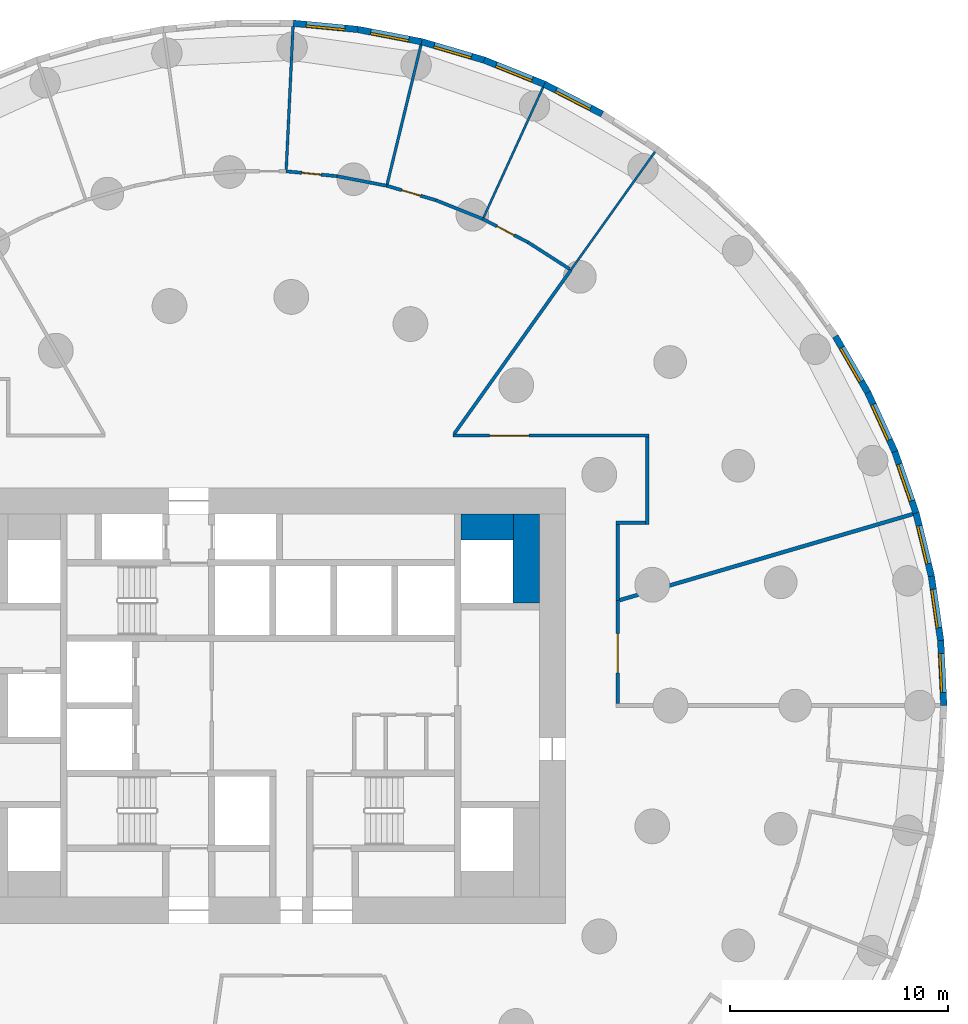
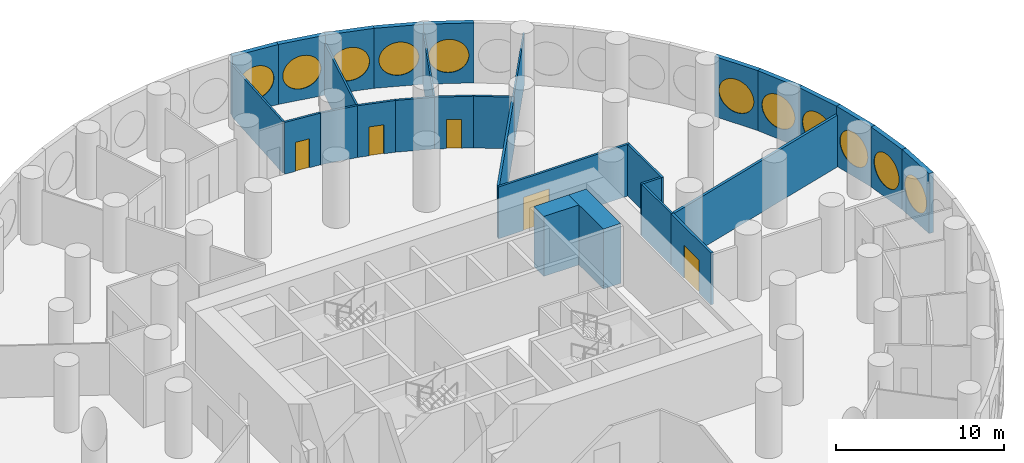
# One storey, part 8 of 11: 30 walls, 11 windows, 5 doors, 16 openings.
"""IFC4 building model written with IfcOpenShell, lengths in metres."""

from ifc_helpers import new_model, si_unit, direction, frame, frame_2d, origin, origin_2d, place, context, subcontext, project, spatial, rectangle, circle, extrude, material, layer, layer_set, type_object, element, fill, save


model = new_model("IFC4")

# Units and contexts
model_context = context("Model", 3, precision=1e-05, world=origin(), true_north=direction((0.0, 1.0)))
body_context = subcontext(model_context, "Body", "Model", "MODEL_VIEW")
ifc_project = project(units=[si_unit("LENGTHUNIT", "METRE"), si_unit("AREAUNIT", "SQUARE_METRE"), si_unit("VOLUMEUNIT", "CUBIC_METRE"), si_unit("PLANEANGLEUNIT", "RADIAN"), si_unit("MASSUNIT", "GRAM", prefix="KILO")], contexts=[model_context])

# Site, building, storey
site_placement = place(None, origin())
site = spatial("IfcSite", under=ifc_project, at=site_placement, CompositionType="ELEMENT")
building_placement = place(site_placement, origin())
building = spatial("IfcBuilding", under=site, at=building_placement, Name="Tracery Tower", CompositionType="ELEMENT")
storey_placement = place(building_placement, frame((0.0, 0.0, 18.60009765625)))
storey = spatial("IfcBuildingStorey", under=building, at=storey_placement, Name="L03", CompositionType="ELEMENT", Elevation=18.60009765625)

# Wall, opening, door
ifc_material_1 = material(Name="Plasterboard on steel studs", Category="steel")
ifc_layer_1 = layer(ifc_material_1, 0.175048828125)
ifc_layer_set_1 = layer_set([ifc_layer_1], Name="Compartment partition 175")
wall_type_1 = type_object("IfcWallType", Name="Compartment partition 175", PredefinedType="PARTITIONING", material=ifc_layer_set_1)
wall_1_placement = place(storey_placement, frame((16.39990234375, 4.8154296875, 0.0), z_axis=(0.0, 0.0, 1.0), x_axis=(0.0, -1.0, 0.0)))
wall_1 = element("IfcWall", 1, at=wall_1_placement, inside=storey, type_object=wall_type_1, Name="Compartment partition 175", PredefinedType="PARTITIONING", context=body_context, shape_type="SweptSolid", body=[
    extrude(rectangle(XDim=4.72802734375, YDim=0.175048828125, at=frame_2d((2.364013671875, 0.0))), origin(), (0.0, 0.0, 1.0), 3.75),
])
opening_1_placement = place(wall_1_placement, frame((1.5078125, 0.0, 0.0)))
opening_1 = element("IfcOpeningElement", 2, at=opening_1_placement, cuts=wall_1, Name="Opening SB-L03-01", PredefinedType="OPENING", context=body_context, shape_type="SweptSolid", body=[
    extrude(rectangle(XDim=1.800048828125, YDim=2.39990234375, at=frame_2d((0.89990234375, 1.199951171875))), frame((0.0, 0.08740234375, 0.0), z_axis=(0.0, -1.0, 0.0), x_axis=(1.0, 0.0, 0.0)), (0.0, 0.0, 1.0), 0.175048828125),
])
ifc_material_2 = material(Name="Glazed aluminium door", Category="aluminium")
door_type_1 = type_object("IfcDoorType", Name="Hall double door 1800", OperationType="DOUBLE_DOOR_SINGLE_SWING", PredefinedType="DOOR", material=ifc_material_2)
door_1_placement = place(opening_1_placement, origin())
door_1 = element("IfcDoor", 3, at=door_1_placement, inside=storey, type_object=door_type_1, Name="Hall double door 1800", OperationType="DOUBLE_DOOR_SINGLE_SWING", OverallHeight=2.39990234375, OverallWidth=1.800048828125, PredefinedType="DOOR", context=body_context, shape_type="SweptSolid", body=[
    extrude(rectangle(XDim=1.800048828125, YDim=2.39990234375, at=frame_2d((0.89990234375, 1.199951171875))), frame((0.0, 0.02490234375, 0.0), z_axis=(0.0, -1.0, 0.0), x_axis=(1.0, 0.0, 0.0)), (0.0, 0.0, 1.0), 0.050048828125),
])
fill(opening_1, door_1)

# Walls
wall_2_placement = place(storey_placement, frame((29.95947265625, 8.796875, 0.0), z_axis=(0.0, 0.0, 1.0), x_axis=(-0.959495810273, -0.281722895889, 0.0)))
element("IfcWall", 4, at=wall_2_placement, inside=storey, type_object=wall_type_1, Name="Compartment partition 175", PredefinedType="PARTITIONING", context=body_context, shape_type="SweptSolid", body=[
    extrude(rectangle(XDim=14.04052734375, YDim=0.175048828125, at=frame_2d((7.020263671875, 0.0))), origin(), (0.0, 0.0, 1.0), 3.75),
])
ifc_material_3 = material(Name="Concrete C60/75", Category="concrete")
ifc_layer_2 = layer(ifc_material_3, 1.199951171875)
ifc_layer_set_2 = layer_set([ifc_layer_2], Name="Core strip wall 1200 C60")
wall_type_2 = type_object("IfcWallType", Name="Core strip wall 1200 C60", PredefinedType="SOLIDWALL", material=ifc_layer_set_2)
wall_3_placement = place(storey_placement, frame((12.199951171875, 4.699951171875, 0.0), z_axis=(0.0, 0.0, 1.0), x_axis=(0.0, 1.0, 0.0)))
element("IfcWall", 5, at=wall_3_placement, inside=storey, type_object=wall_type_2, Name="L03 wing strip +1 4.55", PredefinedType="SOLIDWALL", context=body_context, shape_type="SweptSolid", body=[
    extrude(rectangle(XDim=4.10009765625, YDim=1.199951171875, at=frame_2d((2.050048828125, 0.0))), origin(), (0.0, 0.0, 1.0), 4.349853515625),
])
wall_4_placement = place(storey_placement, frame((9.199951171875, 8.199951171875, 0.0), z_axis=(0.0, 0.0, 1.0), x_axis=(1.0, 0.0, 0.0)))
element("IfcWall", 6, at=wall_4_placement, inside=storey, type_object=wall_type_2, Name="L03 wing corner +1 +8.2", PredefinedType="SOLIDWALL", context=body_context, shape_type="SweptSolid", body=[
    extrude(rectangle(XDim=2.400146484375, YDim=1.199951171875, at=frame_2d((1.2001953125, 0.0))), origin(), (0.0, 0.0, 1.0), 4.349853515625),
])

# Wall, opening, door
ifc_material_4 = material(Name="Plasterboard on steel studs", Category="steel")
ifc_layer_3 = layer(ifc_material_4, 0.14990234375)
ifc_layer_set_3 = layer_set([ifc_layer_3], Name="Corridor partition 150")
wall_type_3 = type_object("IfcWallType", Name="Corridor partition 150", PredefinedType="PARTITIONING", material=ifc_layer_set_3)
wall_5_placement = place(storey_placement, frame((1.1689453125, 24.538818359375, 0.0), z_axis=(0.0, 0.0, 1.0), x_axis=(0.995473855736, -0.095035796131, 0.0)))
wall_5 = element("IfcWall", 7, at=wall_5_placement, inside=storey, type_object=wall_type_3, Name="Corridor partition 150", PredefinedType="PARTITIONING", context=body_context, shape_type="SweptSolid", body=[
    extrude(rectangle(XDim=2.337646484375, YDim=0.14990234375, at=frame_2d((1.1689453125, 0.0))), origin(), (0.0, 0.0, 1.0), 3.75),
])
opening_2_placement = place(wall_5_placement, frame((0.718994140625, 0.0, 0.0)))
opening_2 = element("IfcOpeningElement", 8, at=opening_2_placement, cuts=wall_5, Name="Opening SB-L03-05", PredefinedType="OPENING", context=body_context, shape_type="SweptSolid", body=[
    extrude(rectangle(XDim=0.89990234375, YDim=2.10009765625, at=frame_2d((0.449951171875, 1.050048828125))), frame((0.0, 0.074951171875, 0.0), z_axis=(0.0, -1.0, 0.0), x_axis=(1.0, 0.0, 0.0)), (0.0, 0.0, 1.0), 0.14990234375),
])
ifc_material_5 = material(Name="Timber door leaf", Category="wood")
door_type_2 = type_object("IfcDoorType", Name="Room door 900", OperationType="NOTDEFINED", PredefinedType="DOOR", material=ifc_material_5)
door_2_placement = place(opening_2_placement, origin())
door_2 = element("IfcDoor", 9, at=door_2_placement, inside=storey, type_object=door_type_2, Name="Room door 900", OperationType="SINGLE_SWING_RIGHT", OverallHeight=2.10009765625, OverallWidth=0.89990234375, PredefinedType="DOOR", context=body_context, shape_type="SweptSolid", body=[
    extrude(rectangle(XDim=0.89990234375, YDim=2.10009765625, at=frame_2d((0.449951171875, 1.050048828125))), frame((0.0, 0.02490234375, 0.0), z_axis=(0.0, -1.0, 0.0), x_axis=(1.0, 0.0, 0.0)), (0.0, 0.0, 1.0), 0.050048828125),
])
fill(opening_2, door_2)

# Wall
wall_6_placement = place(storey_placement, frame((5.791748046875, 23.874267578125, 0.0), z_axis=(0.0, 0.0, 1.0), x_axis=(-0.981934124814, 0.189223081374, 0.0)))
element("IfcWall", 10, at=wall_6_placement, inside=storey, type_object=wall_type_3, Name="Corridor partition 150", PredefinedType="PARTITIONING", context=body_context, shape_type="SweptSolid", body=[
    extrude(rectangle(XDim=2.337890625, YDim=0.14990234375, at=frame_2d((1.1689453125, 0.0))), origin(), (0.0, 0.0, 1.0), 3.75),
])

# Wall, opening, door
wall_7_placement = place(storey_placement, frame((5.791748046875, 23.874267578125, 0.0), z_axis=(0.0, 0.0, 1.0), x_axis=(0.959488462959, -0.28174791827, 0.0)))
wall_7 = element("IfcWall", 11, at=wall_7_placement, inside=storey, type_object=wall_type_3, Name="Corridor partition 150", PredefinedType="PARTITIONING", context=body_context, shape_type="SweptSolid", body=[
    extrude(rectangle(XDim=2.337890625, YDim=0.14990234375, at=frame_2d((1.1689453125, 0.0))), origin(), (0.0, 0.0, 1.0), 3.75),
])
opening_3_placement = place(wall_7_placement, frame((0.718994140625, 0.0, 0.0)))
opening_3 = element("IfcOpeningElement", 12, at=opening_3_placement, cuts=wall_7, Name="Opening SB-L03-04", PredefinedType="OPENING", context=body_context, shape_type="SweptSolid", body=[
    extrude(rectangle(XDim=0.89990234375, YDim=2.10009765625, at=frame_2d((0.449951171875, 1.050048828125))), frame((0.0, 0.074951171875, 0.0), z_axis=(0.0, -1.0, 0.0), x_axis=(1.0, 0.0, 0.0)), (0.0, 0.0, 1.0), 0.14990234375),
])
door_3_placement = place(opening_3_placement, origin())
door_3 = element("IfcDoor", 13, at=door_3_placement, inside=storey, type_object=door_type_2, Name="Room door 900", OperationType="SINGLE_SWING_RIGHT", OverallHeight=2.10009765625, OverallWidth=0.89990234375, PredefinedType="DOOR", context=body_context, shape_type="SweptSolid", body=[
    extrude(rectangle(XDim=0.89990234375, YDim=2.10009765625, at=frame_2d((0.449951171875, 1.050048828125))), frame((0.0, 0.02490234375, 0.0), z_axis=(0.0, -1.0, 0.0), x_axis=(1.0, 0.0, 0.0)), (0.0, 0.0, 1.0), 0.050048828125),
])
fill(opening_3, door_3)

# Wall
wall_8_placement = place(storey_placement, frame((10.205322265625, 22.3466796875, 0.0), z_axis=(0.0, 0.0, 1.0), x_axis=(-0.92836862221, 0.371660734133, 0.0)))
element("IfcWall", 14, at=wall_8_placement, inside=storey, type_object=wall_type_3, Name="Corridor partition 150", PredefinedType="PARTITIONING", context=body_context, shape_type="SweptSolid", body=[
    extrude(rectangle(XDim=2.337890625, YDim=0.14990234375, at=frame_2d((1.1689453125, 0.0))), origin(), (0.0, 0.0, 1.0), 3.75),
])

# Wall, opening, door
wall_9_placement = place(storey_placement, frame((10.205322265625, 22.3466796875, 0.0), z_axis=(0.0, 0.0, 1.0), x_axis=(0.888845697941, -0.458206640339, 0.0)))
wall_9 = element("IfcWall", 15, at=wall_9_placement, inside=storey, type_object=wall_type_3, Name="Corridor partition 150", PredefinedType="PARTITIONING", context=body_context, shape_type="SweptSolid", body=[
    extrude(rectangle(XDim=2.337890625, YDim=0.14990234375, at=frame_2d((1.1689453125, 0.0))), origin(), (0.0, 0.0, 1.0), 3.75),
])
opening_4_placement = place(wall_9_placement, frame((0.718994140625, 0.0, 0.0)))
opening_4 = element("IfcOpeningElement", 16, at=opening_4_placement, cuts=wall_9, Name="Opening SB-L03-03", PredefinedType="OPENING", context=body_context, shape_type="SweptSolid", body=[
    extrude(rectangle(XDim=0.89990234375, YDim=2.10009765625, at=frame_2d((0.449951171875, 1.050048828125))), frame((0.0, 0.074951171875, 0.0), z_axis=(0.0, -1.0, 0.0), x_axis=(1.0, 0.0, 0.0)), (0.0, 0.0, 1.0), 0.14990234375),
])
door_4_placement = place(opening_4_placement, origin())
door_4 = element("IfcDoor", 17, at=door_4_placement, inside=storey, type_object=door_type_2, Name="Room door 900", OperationType="SINGLE_SWING_RIGHT", OverallHeight=2.10009765625, OverallWidth=0.89990234375, PredefinedType="DOOR", context=body_context, shape_type="SweptSolid", body=[
    extrude(rectangle(XDim=0.89990234375, YDim=2.10009765625, at=frame_2d((0.449951171875, 1.050048828125))), frame((0.0, 0.02490234375, 0.0), z_axis=(0.0, -1.0, 0.0), x_axis=(1.0, 0.0, 0.0)), (0.0, 0.0, 1.0), 0.050048828125),
])
fill(opening_4, door_4)

# Walls
wall_10_placement = place(storey_placement, frame((14.25, 20.011474609375, 0.0), z_axis=(0.0, 0.0, 1.0), x_axis=(-0.580061892899, -0.814572403416, 0.0)))
element("IfcWall", 18, at=wall_10_placement, inside=storey, type_object=wall_type_3, Name="Corridor partition 150", PredefinedType="PARTITIONING", context=body_context, shape_type="SweptSolid", body=[
    extrude(rectangle(XDim=9.251953125, YDim=0.14990234375, at=frame_2d((4.6259765625, 0.0))), origin(), (0.0, 0.0, 1.0), 3.75),
])
wall_11_placement = place(storey_placement, frame((14.18701171875, 20.052001953125, 0.0), z_axis=(0.0, 0.0, 1.0), x_axis=(-0.841245074687, 0.540653978358, 0.0)))
element("IfcWall", 19, at=wall_11_placement, inside=storey, type_object=wall_type_3, Name="Corridor partition 150", PredefinedType="PARTITIONING", context=body_context, shape_type="SweptSolid", body=[
    extrude(rectangle(XDim=2.2626953125, YDim=0.14990234375, at=frame_2d((1.13134765625, 0.0))), origin(), (0.0, 0.0, 1.0), 3.75),
])
wall_12_placement = place(storey_placement, frame((16.39990234375, 4.8154296875, 0.0), z_axis=(0.0, 0.0, 1.0), x_axis=(0.0, 1.0, 0.0)))
element("IfcWall", 20, at=wall_12_placement, inside=storey, type_object=wall_type_3, Name="Corridor partition 150", PredefinedType="PARTITIONING", context=body_context, shape_type="SweptSolid", body=[
    extrude(rectangle(XDim=3.512451171875, YDim=0.14990234375, at=frame_2d((1.75634765625, 0.0))), origin(), (0.0, 0.0, 1.0), 3.75),
])
wall_13_placement = place(storey_placement, frame((16.324951171875, 8.40283203125, 0.0), z_axis=(0.0, 0.0, 1.0), x_axis=(1.0, 0.0, 0.0)))
element("IfcWall", 21, at=wall_13_placement, inside=storey, type_object=wall_type_3, Name="Corridor partition 150", PredefinedType="PARTITIONING", context=body_context, shape_type="SweptSolid", body=[
    extrude(rectangle(XDim=1.3515625, YDim=0.14990234375, at=frame_2d((0.67578125, 0.0))), origin(), (0.0, 0.0, 1.0), 3.75),
])
wall_14_placement = place(storey_placement, frame((17.751708984375, 8.327880859375, 0.0), z_axis=(0.0, 0.0, 1.0), x_axis=(0.0, 1.0, 0.0)))
element("IfcWall", 22, at=wall_14_placement, inside=storey, type_object=wall_type_3, Name="Corridor partition 150", PredefinedType="PARTITIONING", context=body_context, shape_type="SweptSolid", body=[
    extrude(rectangle(XDim=3.9970703125, YDim=0.14990234375, at=frame_2d((1.99853515625, 0.0))), origin(), (0.0, 0.0, 1.0), 3.75),
])

# Wall, opening, door
wall_15_placement = place(storey_placement, frame((8.830078125, 12.39990234375, 0.0), z_axis=(0.0, 0.0, 1.0), x_axis=(1.0, 0.0, 0.0)))
wall_15 = element("IfcWall", 23, at=wall_15_placement, inside=storey, type_object=wall_type_3, Name="Corridor partition 150", PredefinedType="PARTITIONING", context=body_context, shape_type="SweptSolid", body=[
    extrude(rectangle(XDim=8.99658203125, YDim=0.14990234375, at=frame_2d((4.498291015625, 0.0))), origin(), (0.0, 0.0, 1.0), 3.75),
])
opening_5_placement = place(wall_15_placement, frame((1.68505859375, 0.0, 0.0)))
opening_5 = element("IfcOpeningElement", 24, at=opening_5_placement, cuts=wall_15, Name="Opening SB-L03-02", PredefinedType="OPENING", context=body_context, shape_type="SweptSolid", body=[
    extrude(rectangle(XDim=1.800048828125, YDim=2.39990234375, at=frame_2d((0.89990234375, 1.199951171875))), frame((0.0, 0.074951171875, 0.0), z_axis=(0.0, -1.0, 0.0), x_axis=(1.0, 0.0, 0.0)), (0.0, 0.0, 1.0), 0.14990234375),
])
door_5_placement = place(opening_5_placement, origin())
door_5 = element("IfcDoor", 25, at=door_5_placement, inside=storey, type_object=door_type_1, Name="Hall double door 1800", OperationType="DOUBLE_DOOR_SINGLE_SWING", OverallHeight=2.39990234375, OverallWidth=1.800048828125, PredefinedType="DOOR", context=body_context, shape_type="SweptSolid", body=[
    extrude(rectangle(XDim=1.800048828125, YDim=2.39990234375, at=frame_2d((0.89990234375, 1.199951171875))), frame((0.0, 0.02490234375, 0.0), z_axis=(0.0, -1.0, 0.0), x_axis=(1.0, 0.0, 0.0)), (0.0, 0.0, 1.0), 0.050048828125),
])
fill(opening_5, door_5)

# Wall, opening, window
ifc_material_6 = material(Name="Precast concrete C50/60", Category="concrete")
ifc_layer_4 = layer(ifc_material_6, 0.300048828125)
ifc_layer_set_4 = layer_set([ifc_layer_4], Name="Facade panel 3000 x 4350")
wall_type_4 = type_object("IfcWallType", Name="Facade panel 3000 x 4350", PredefinedType="SOLIDWALL", material=ifc_layer_set_4)
wall_16_placement = place(storey_placement, frame((31.37451171875, 0.0, 0.0), z_axis=(0.0, 0.0, 1.0), x_axis=(-0.047588458579, 0.998867027492, 0.0)))
wall_16 = element("IfcWall", 26, at=wall_16_placement, inside=storey, type_object=wall_type_4, Name="Facade panel 1 at L03", PredefinedType="SOLIDWALL", context=body_context, shape_type="SweptSolid", body=[
    extrude(rectangle(XDim=2.98583984375, YDim=0.300048828125, at=frame_2d((1.492919921875, 0.0))), origin(), (0.0, 0.0, 1.0), 4.349853515625),
])
opening_6_placement = place(wall_16_placement, frame((1.492919921875, 0.0, 2.0)))
opening_6 = element("IfcOpeningElement", 27, at=opening_6_placement, cuts=wall_16, Name="Opening WN2", PredefinedType="OPENING", context=body_context, shape_type="SweptSolid", body=[
    extrude(circle(Radius=1.199951171875, at=origin_2d()), frame((0.0, 0.159912109375, 0.0), z_axis=(0.0, -1.0, 0.0), x_axis=(1.0, 0.0, 0.0)), (0.0, 0.0, 1.0), 0.320068359375),
])
ifc_material_7 = material(Name="Aluminium frame with tinted double glazing", Category="aluminium")
window_type = type_object("IfcWindowType", Name="Round window 2400", PartitioningType="SINGLE_PANEL", PredefinedType="WINDOW", material=ifc_material_7)
window_1_placement = place(opening_6_placement, origin())
window_1 = element("IfcWindow", 28, at=window_1_placement, inside=storey, type_object=window_type, Name="Round window 1 at L03", OverallHeight=2.39990234375, OverallWidth=2.39990234375, PartitioningType="SINGLE_PANEL", PredefinedType="WINDOW", context=body_context, shape_type="SweptSolid", body=[
    extrude(circle(Radius=1.199951171875, at=origin_2d()), frame((0.0, 0.1201171875, 0.0), z_axis=(0.0, -1.0, 0.0), x_axis=(1.0, 0.0, 0.0)), (0.0, 0.0, 1.0), 0.10009765625),
])
fill(opening_6, window_1)

wall_17_placement = place(storey_placement, frame((31.232421875, 2.982421875, 0.0), z_axis=(0.0, 0.0, 1.0), x_axis=(-0.142360001917, 0.989814947278, 0.0)))
wall_17 = element("IfcWall", 29, at=wall_17_placement, inside=storey, type_object=wall_type_4, Name="Facade panel 2 at L03", PredefinedType="SOLIDWALL", context=body_context, shape_type="SweptSolid", body=[
    extrude(rectangle(XDim=2.98583984375, YDim=0.300048828125, at=frame_2d((1.492919921875, 0.0))), origin(), (0.0, 0.0, 1.0), 4.349853515625),
])
opening_7_placement = place(wall_17_placement, frame((1.492919921875, 0.0, 2.0)))
opening_7 = element("IfcOpeningElement", 30, at=opening_7_placement, cuts=wall_17, Name="Opening WN2", PredefinedType="OPENING", context=body_context, shape_type="SweptSolid", body=[
    extrude(circle(Radius=1.199951171875, at=origin_2d()), frame((0.0, 0.159912109375, 0.0), z_axis=(0.0, -1.0, 0.0), x_axis=(1.0, 0.0, 0.0)), (0.0, 0.0, 1.0), 0.320068359375),
])
window_2_placement = place(opening_7_placement, origin())
window_2 = element("IfcWindow", 31, at=window_2_placement, inside=storey, type_object=window_type, Name="Round window 2 at L03", OverallHeight=2.39990234375, OverallWidth=2.39990234375, PartitioningType="SINGLE_PANEL", PredefinedType="WINDOW", context=body_context, shape_type="SweptSolid", body=[
    extrude(circle(Radius=1.199951171875, at=origin_2d()), frame((0.0, 0.1201171875, 0.0), z_axis=(0.0, -1.0, 0.0), x_axis=(1.0, 0.0, 0.0)), (0.0, 0.0, 1.0), 0.10009765625),
])
fill(opening_7, window_2)

wall_18_placement = place(storey_placement, frame((30.807373046875, 5.937744140625, 0.0), z_axis=(0.0, 0.0, 1.0), x_axis=(-0.235756834479, 0.971812078026, 0.0)))
wall_18 = element("IfcWall", 32, at=wall_18_placement, inside=storey, type_object=wall_type_4, Name="Facade panel 3 at L03", PredefinedType="SOLIDWALL", context=body_context, shape_type="SweptSolid", body=[
    extrude(rectangle(XDim=2.985595703125, YDim=0.300048828125, at=frame_2d((1.49267578125, 0.0))), origin(), (0.0, 0.0, 1.0), 4.349853515625),
])
opening_8_placement = place(wall_18_placement, frame((1.492919921875, 0.0, 2.0)))
opening_8 = element("IfcOpeningElement", 33, at=opening_8_placement, cuts=wall_18, Name="Opening WN2", PredefinedType="OPENING", context=body_context, shape_type="SweptSolid", body=[
    extrude(circle(Radius=1.199951171875, at=origin_2d()), frame((0.0, 0.159912109375, 0.0), z_axis=(0.0, -1.0, 0.0), x_axis=(1.0, 0.0, 0.0)), (0.0, 0.0, 1.0), 0.320068359375),
])
window_3_placement = place(opening_8_placement, origin())
window_3 = element("IfcWindow", 34, at=window_3_placement, inside=storey, type_object=window_type, Name="Round window 3 at L03", OverallHeight=2.39990234375, OverallWidth=2.39990234375, PartitioningType="SINGLE_PANEL", PredefinedType="WINDOW", context=body_context, shape_type="SweptSolid", body=[
    extrude(circle(Radius=1.199951171875, at=origin_2d()), frame((0.0, 0.1201171875, 0.0), z_axis=(0.0, -1.0, 0.0), x_axis=(1.0, 0.0, 0.0)), (0.0, 0.0, 1.0), 0.10009765625),
])
fill(opening_8, window_3)

wall_19_placement = place(storey_placement, frame((30.103515625, 8.839111328125, 0.0), z_axis=(0.0, 0.0, 1.0), x_axis=(-0.327074054052, 0.944998710669, 0.0)))
wall_19 = element("IfcWall", 35, at=wall_19_placement, inside=storey, type_object=wall_type_4, Name="Facade panel 4 at L03", PredefinedType="SOLIDWALL", context=body_context, shape_type="SweptSolid", body=[
    extrude(rectangle(XDim=2.98583984375, YDim=0.300048828125, at=frame_2d((1.492919921875, 0.0))), origin(), (0.0, 0.0, 1.0), 4.349853515625),
])
opening_9_placement = place(wall_19_placement, frame((1.492919921875, 0.0, 2.0)))
opening_9 = element("IfcOpeningElement", 36, at=opening_9_placement, cuts=wall_19, Name="Opening WN2", PredefinedType="OPENING", context=body_context, shape_type="SweptSolid", body=[
    extrude(circle(Radius=1.199951171875, at=origin_2d()), frame((0.0, 0.159912109375, 0.0), z_axis=(0.0, -1.0, 0.0), x_axis=(1.0, 0.0, 0.0)), (0.0, 0.0, 1.0), 0.320068359375),
])
window_4_placement = place(opening_9_placement, origin())
window_4 = element("IfcWindow", 37, at=window_4_placement, inside=storey, type_object=window_type, Name="Round window 4 at L03", OverallHeight=2.39990234375, OverallWidth=2.39990234375, PartitioningType="SINGLE_PANEL", PredefinedType="WINDOW", context=body_context, shape_type="SweptSolid", body=[
    extrude(circle(Radius=1.199951171875, at=origin_2d()), frame((0.0, 0.1201171875, 0.0), z_axis=(0.0, -1.0, 0.0), x_axis=(1.0, 0.0, 0.0)), (0.0, 0.0, 1.0), 0.10009765625),
])
fill(opening_9, window_4)

wall_20_placement = place(storey_placement, frame((29.126953125, 11.66064453125, 0.0), z_axis=(0.0, 0.0, 1.0), x_axis=(-0.415373250944, 0.909651066289, 0.0)))
wall_20 = element("IfcWall", 38, at=wall_20_placement, inside=storey, type_object=wall_type_4, Name="Facade panel 5 at L03", PredefinedType="SOLIDWALL", context=body_context, shape_type="SweptSolid", body=[
    extrude(rectangle(XDim=2.98583984375, YDim=0.300048828125, at=frame_2d((1.492919921875, 0.0))), origin(), (0.0, 0.0, 1.0), 4.349853515625),
])
opening_10_placement = place(wall_20_placement, frame((1.492919921875, 0.0, 2.0)))
opening_10 = element("IfcOpeningElement", 39, at=opening_10_placement, cuts=wall_20, Name="Opening WN2", PredefinedType="OPENING", context=body_context, shape_type="SweptSolid", body=[
    extrude(circle(Radius=1.199951171875, at=origin_2d()), frame((0.0, 0.159912109375, 0.0), z_axis=(0.0, -1.0, 0.0), x_axis=(1.0, 0.0, 0.0)), (0.0, 0.0, 1.0), 0.320068359375),
])
window_5_placement = place(opening_10_placement, origin())
window_5 = element("IfcWindow", 40, at=window_5_placement, inside=storey, type_object=window_type, Name="Round window 5 at L03", OverallHeight=2.39990234375, OverallWidth=2.39990234375, PartitioningType="SINGLE_PANEL", PredefinedType="WINDOW", context=body_context, shape_type="SweptSolid", body=[
    extrude(circle(Radius=1.199951171875, at=origin_2d()), frame((0.0, 0.1201171875, 0.0), z_axis=(0.0, -1.0, 0.0), x_axis=(1.0, 0.0, 0.0)), (0.0, 0.0, 1.0), 0.10009765625),
])
fill(opening_10, window_5)

wall_21_placement = place(storey_placement, frame((27.88671875, 14.376708984375, 0.0), z_axis=(0.0, 0.0, 1.0), x_axis=(-0.500017373705, 0.866015372839, 0.0)))
wall_21 = element("IfcWall", 41, at=wall_21_placement, inside=storey, type_object=wall_type_4, Name="Facade panel 6 at L03", PredefinedType="SOLIDWALL", context=body_context, shape_type="SweptSolid", body=[
    extrude(rectangle(XDim=2.98583984375, YDim=0.300048828125, at=frame_2d((1.492919921875, 0.0))), origin(), (0.0, 0.0, 1.0), 4.349853515625),
])
opening_11_placement = place(wall_21_placement, frame((1.492919921875, 0.0, 2.0)))
opening_11 = element("IfcOpeningElement", 42, at=opening_11_placement, cuts=wall_21, Name="Opening WN2", PredefinedType="OPENING", context=body_context, shape_type="SweptSolid", body=[
    extrude(circle(Radius=1.199951171875, at=origin_2d()), frame((0.0, 0.159912109375, 0.0), z_axis=(0.0, -1.0, 0.0), x_axis=(1.0, 0.0, 0.0)), (0.0, 0.0, 1.0), 0.320068359375),
])
window_6_placement = place(opening_11_placement, origin())
window_6 = element("IfcWindow", 43, at=window_6_placement, inside=storey, type_object=window_type, Name="Round window 6 at L03", OverallHeight=2.39990234375, OverallWidth=2.39990234375, PartitioningType="SINGLE_PANEL", PredefinedType="WINDOW", context=body_context, shape_type="SweptSolid", body=[
    extrude(circle(Radius=1.199951171875, at=origin_2d()), frame((0.0, 0.1201171875, 0.0), z_axis=(0.0, -1.0, 0.0), x_axis=(1.0, 0.0, 0.0)), (0.0, 0.0, 1.0), 0.10009765625),
])
fill(opening_11, window_6)

wall_22_placement = place(storey_placement, frame((15.687255859375, 27.171142578125, 0.0), z_axis=(0.0, 0.0, 1.0), x_axis=(-0.888831268481, 0.458234630043, 0.0)))
wall_22 = element("IfcWall", 44, at=wall_22_placement, inside=storey, type_object=wall_type_4, Name="Facade panel 12 at L03", PredefinedType="SOLIDWALL", context=body_context, shape_type="SweptSolid", body=[
    extrude(rectangle(XDim=2.98583984375, YDim=0.300048828125, at=frame_2d((1.492919921875, 0.0))), origin(), (0.0, 0.0, 1.0), 4.349853515625),
])
opening_12_placement = place(wall_22_placement, frame((1.492919921875, 0.0, 2.0)))
opening_12 = element("IfcOpeningElement", 45, at=opening_12_placement, cuts=wall_22, Name="Opening WN2", PredefinedType="OPENING", context=body_context, shape_type="SweptSolid", body=[
    extrude(circle(Radius=1.199951171875, at=origin_2d()), frame((0.0, 0.159912109375, 0.0), z_axis=(0.0, -1.0, 0.0), x_axis=(1.0, 0.0, 0.0)), (0.0, 0.0, 1.0), 0.320068359375),
])
window_7_placement = place(opening_12_placement, origin())
window_7 = element("IfcWindow", 46, at=window_7_placement, inside=storey, type_object=window_type, Name="Round window 12 at L03", OverallHeight=2.39990234375, OverallWidth=2.39990234375, PartitioningType="SINGLE_PANEL", PredefinedType="WINDOW", context=body_context, shape_type="SweptSolid", body=[
    extrude(circle(Radius=1.199951171875, at=origin_2d()), frame((0.0, 0.1201171875, 0.0), z_axis=(0.0, -1.0, 0.0), x_axis=(1.0, 0.0, 0.0)), (0.0, 0.0, 1.0), 0.10009765625),
])
fill(opening_12, window_7)

wall_23_placement = place(storey_placement, frame((13.033447265625, 28.539306640625, 0.0), z_axis=(0.0, 0.0, 1.0), x_axis=(-0.928380795373, 0.371630325434, 0.0)))
wall_23 = element("IfcWall", 47, at=wall_23_placement, inside=storey, type_object=wall_type_4, Name="Facade panel 13 at L03", PredefinedType="SOLIDWALL", context=body_context, shape_type="SweptSolid", body=[
    extrude(rectangle(XDim=2.98583984375, YDim=0.300048828125, at=frame_2d((1.492919921875, 0.0))), origin(), (0.0, 0.0, 1.0), 4.349853515625),
])
opening_13_placement = place(wall_23_placement, frame((1.492919921875, 0.0, 2.0)))
opening_13 = element("IfcOpeningElement", 48, at=opening_13_placement, cuts=wall_23, Name="Opening WN2", PredefinedType="OPENING", context=body_context, shape_type="SweptSolid", body=[
    extrude(circle(Radius=1.199951171875, at=origin_2d()), frame((0.0, 0.159912109375, 0.0), z_axis=(0.0, -1.0, 0.0), x_axis=(1.0, 0.0, 0.0)), (0.0, 0.0, 1.0), 0.320068359375),
])
window_8_placement = place(opening_13_placement, origin())
window_8 = element("IfcWindow", 49, at=window_8_placement, inside=storey, type_object=window_type, Name="Round window 13 at L03", OverallHeight=2.39990234375, OverallWidth=2.39990234375, PartitioningType="SINGLE_PANEL", PredefinedType="WINDOW", context=body_context, shape_type="SweptSolid", body=[
    extrude(circle(Radius=1.199951171875, at=origin_2d()), frame((0.0, 0.1201171875, 0.0), z_axis=(0.0, -1.0, 0.0), x_axis=(1.0, 0.0, 0.0)), (0.0, 0.0, 1.0), 0.10009765625),
])
fill(opening_13, window_8)

wall_24_placement = place(storey_placement, frame((10.261474609375, 29.64892578125, 0.0), z_axis=(0.0, 0.0, 1.0), x_axis=(-0.959502108153, 0.281701445593, 0.0)))
wall_24 = element("IfcWall", 50, at=wall_24_placement, inside=storey, type_object=wall_type_4, Name="Facade panel 14 at L03", PredefinedType="SOLIDWALL", context=body_context, shape_type="SweptSolid", body=[
    extrude(rectangle(XDim=2.985595703125, YDim=0.300048828125, at=frame_2d((1.49267578125, 0.0))), origin(), (0.0, 0.0, 1.0), 4.349853515625),
])
opening_14_placement = place(wall_24_placement, frame((1.492919921875, 0.0, 2.0)))
opening_14 = element("IfcOpeningElement", 51, at=opening_14_placement, cuts=wall_24, Name="Opening WN2", PredefinedType="OPENING", context=body_context, shape_type="SweptSolid", body=[
    extrude(circle(Radius=1.199951171875, at=origin_2d()), frame((0.0, 0.159912109375, 0.0), z_axis=(0.0, -1.0, 0.0), x_axis=(1.0, 0.0, 0.0)), (0.0, 0.0, 1.0), 0.320068359375),
])
window_9_placement = place(opening_14_placement, origin())
window_9 = element("IfcWindow", 52, at=window_9_placement, inside=storey, type_object=window_type, Name="Round window 14 at L03", OverallHeight=2.39990234375, OverallWidth=2.39990234375, PartitioningType="SINGLE_PANEL", PredefinedType="WINDOW", context=body_context, shape_type="SweptSolid", body=[
    extrude(circle(Radius=1.199951171875, at=origin_2d()), frame((0.0, 0.1201171875, 0.0), z_axis=(0.0, -1.0, 0.0), x_axis=(1.0, 0.0, 0.0)), (0.0, 0.0, 1.0), 0.10009765625),
])
fill(opening_14, window_9)

wall_25_placement = place(storey_placement, frame((7.396728515625, 30.489990234375, 0.0), z_axis=(0.0, 0.0, 1.0), x_axis=(-0.981918853666, 0.189302310646, 0.0)))
wall_25 = element("IfcWall", 53, at=wall_25_placement, inside=storey, type_object=wall_type_4, Name="Facade panel 15 at L03", PredefinedType="SOLIDWALL", context=body_context, shape_type="SweptSolid", body=[
    extrude(rectangle(XDim=2.985595703125, YDim=0.300048828125, at=frame_2d((1.49267578125, 0.0))), origin(), (0.0, 0.0, 1.0), 4.349853515625),
])
opening_15_placement = place(wall_25_placement, frame((1.492919921875, 0.0, 2.0)))
opening_15 = element("IfcOpeningElement", 54, at=opening_15_placement, cuts=wall_25, Name="Opening WN2", PredefinedType="OPENING", context=body_context, shape_type="SweptSolid", body=[
    extrude(circle(Radius=1.199951171875, at=origin_2d()), frame((0.0, 0.159912109375, 0.0), z_axis=(0.0, -1.0, 0.0), x_axis=(1.0, 0.0, 0.0)), (0.0, 0.0, 1.0), 0.320068359375),
])
window_10_placement = place(opening_15_placement, origin())
window_10 = element("IfcWindow", 55, at=window_10_placement, inside=storey, type_object=window_type, Name="Round window 15 at L03", OverallHeight=2.39990234375, OverallWidth=2.39990234375, PartitioningType="SINGLE_PANEL", PredefinedType="WINDOW", context=body_context, shape_type="SweptSolid", body=[
    extrude(circle(Radius=1.199951171875, at=origin_2d()), frame((0.0, 0.1201171875, 0.0), z_axis=(0.0, -1.0, 0.0), x_axis=(1.0, 0.0, 0.0)), (0.0, 0.0, 1.0), 0.10009765625),
])
fill(opening_15, window_10)

wall_26_placement = place(storey_placement, frame((4.465087890625, 31.05517578125, 0.0), z_axis=(0.0, 0.0, 1.0), x_axis=(-0.99547560533, 0.095017467833, 0.0)))
wall_26 = element("IfcWall", 56, at=wall_26_placement, inside=storey, type_object=wall_type_4, Name="Facade panel 16 at L03", PredefinedType="SOLIDWALL", context=body_context, shape_type="SweptSolid", body=[
    extrude(rectangle(XDim=2.985595703125, YDim=0.300048828125, at=frame_2d((1.49267578125, 0.0))), origin(), (0.0, 0.0, 1.0), 4.349853515625),
])
opening_16_placement = place(wall_26_placement, frame((1.492919921875, 0.0, 2.0)))
opening_16 = element("IfcOpeningElement", 57, at=opening_16_placement, cuts=wall_26, Name="Opening WN2", PredefinedType="OPENING", context=body_context, shape_type="SweptSolid", body=[
    extrude(circle(Radius=1.199951171875, at=origin_2d()), frame((0.0, 0.159912109375, 0.0), z_axis=(0.0, -1.0, 0.0), x_axis=(1.0, 0.0, 0.0)), (0.0, 0.0, 1.0), 0.320068359375),
])
window_11_placement = place(opening_16_placement, origin())
window_11 = element("IfcWindow", 58, at=window_11_placement, inside=storey, type_object=window_type, Name="Round window 16 at L03", OverallHeight=2.39990234375, OverallWidth=2.39990234375, PartitioningType="SINGLE_PANEL", PredefinedType="WINDOW", context=body_context, shape_type="SweptSolid", body=[
    extrude(circle(Radius=1.199951171875, at=origin_2d()), frame((0.0, 0.1201171875, 0.0), z_axis=(0.0, -1.0, 0.0), x_axis=(1.0, 0.0, 0.0)), (0.0, 0.0, 1.0), 0.10009765625),
])
fill(opening_16, window_11)

# Walls
ifc_material_8 = material(Name="Plasterboard on steel studs", Category="steel")
ifc_layer_5 = layer(ifc_material_8, 0.10009765625)
ifc_layer_set_5 = layer_set([ifc_layer_5], Name="Stud partition 100")
wall_type_5 = type_object("IfcWallType", Name="Stud partition 100", PredefinedType="PARTITIONING", material=ifc_layer_set_5)
wall_27_placement = place(storey_placement, frame((12.970947265625, 28.402587890625, 0.0), z_axis=(0.0, 0.0, 1.0), x_axis=(-0.415409113983, -0.909634689323, 0.0)))
element("IfcWall", 59, at=wall_27_placement, inside=storey, type_object=wall_type_5, Name="Stud partition 100", PredefinedType="PARTITIONING", context=body_context, shape_type="SweptSolid", body=[
    extrude(rectangle(XDim=6.582275390625, YDim=0.10009765625, at=frame_2d((3.291015625, 0.0))), origin(), (0.0, 0.0, 1.0), 3.75),
])
wall_28_placement = place(storey_placement, frame((18.11181640625, 25.4345703125, 0.0), z_axis=(0.0, 0.0, 1.0), x_axis=(-0.580061637508, -0.814572585281, 0.0)))
element("IfcWall", 60, at=wall_28_placement, inside=storey, type_object=wall_type_5, Name="Stud partition 100", PredefinedType="PARTITIONING", context=body_context, shape_type="SweptSolid", body=[
    extrude(rectangle(XDim=6.65771484375, YDim=0.10009765625, at=frame_2d((3.328857421875, 0.0))), origin(), (0.0, 0.0, 1.0), 3.75),
])
ifc_material_9 = material(Name="Plasterboard on steel studs", Category="steel")
ifc_layer_6 = layer(ifc_material_9, 0.125)
ifc_layer_set_6 = layer_set([ifc_layer_6], Name="Wet area partition 125")
wall_type_6 = type_object("IfcWallType", Name="Wet area partition 125", PredefinedType="PARTITIONING", material=ifc_layer_set_6)
for number, where, z_axis, x_axis, name in (
    (61, (1.485595703125, 31.18896484375, 0.0), (0.0, 0.0, 1.0), (-0.047549289688, -0.998868892823, 0.0), "Wet area partition 125"),
    (62, (7.361328125, 30.343994140625, 0.0), (0.0, 0.0, 1.0), (-0.235748643115, -0.971814065174, 0.0), "Wet area partition 125"),
):
    element("IfcWall", number, at=place(storey_placement, frame(where, z_axis=z_axis, x_axis=x_axis)), inside=storey, type_object=wall_type_6, Name=name, PredefinedType="PARTITIONING", context=body_context, shape_type="SweptSolid", body=[
        extrude(rectangle(XDim=6.582275390625, YDim=0.125, at=frame_2d((3.291015625, 0.0))), origin(), (0.0, 0.0, 1.0), 3.75),
    ])

save(model, "model.ifc")
